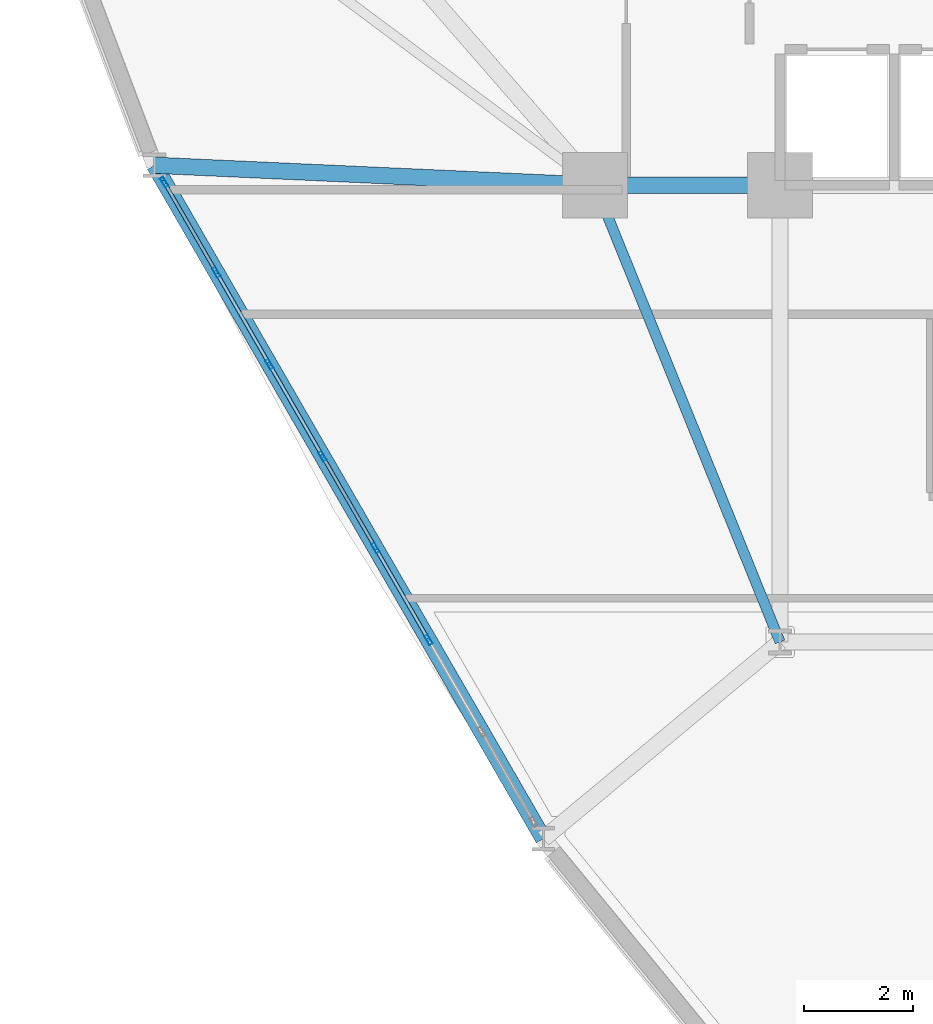
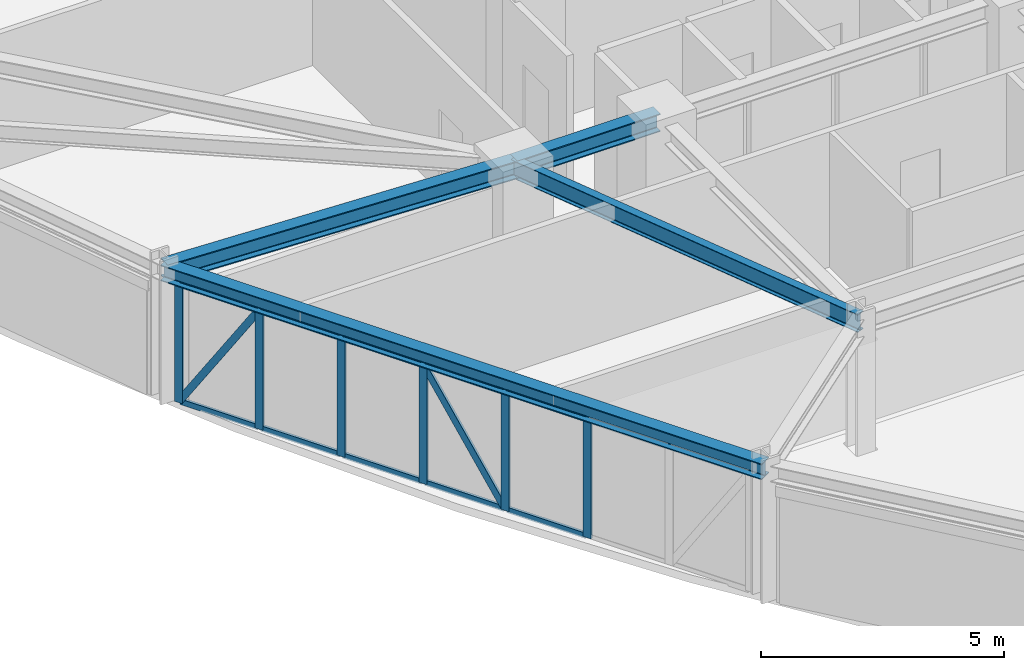
# One storey, part 5 of 23: 18 members, 4 beams, 1 element without a shape of its own.
"""IFC4 building model written with IfcOpenShell, lengths in metres."""

from ifc_helpers import new_model, si_unit, derived_unit, direction, frame, origin, origin_2d, place, context, subcontext, project, spatial, hollow_rectangle, i_section, extrude, source, transform, mapped, material, layer, layer_set, material_profile, profile_set, type_object, element, aggregate, save


model = new_model("IFC4")

# Units and contexts
model_context = context("Model", 3, precision=1e-05, world=origin(), true_north=direction((0.0, 1.0)))
body_context = subcontext(model_context, "Body", "Model", "MODEL_VIEW")
ifc_project = project(units=[si_unit("LENGTHUNIT", "METRE"), si_unit("AREAUNIT", "SQUARE_METRE"), si_unit("VOLUMEUNIT", "CUBIC_METRE"), si_unit("PLANEANGLEUNIT", "RADIAN"), si_unit("MASSUNIT", "GRAM", prefix="KILO"), derived_unit("THERMALTRANSMITTANCEUNIT", [(si_unit("POWERUNIT", "WATT"), 1), (si_unit("LENGTHUNIT", "METRE"), -2), (si_unit("THERMODYNAMICTEMPERATUREUNIT", "KELVIN"), -1)])], contexts=[model_context])

# Site, building, storey
site_placement = place(None, origin())
site = spatial("IfcSite", under=ifc_project, at=site_placement, CompositionType="ELEMENT")
building_placement = place(site_placement, origin())
building = spatial("IfcBuilding", under=site, at=building_placement, Name="Korsvarv Bourse and Concert Hall", CompositionType="ELEMENT")
storey_placement = place(building_placement, frame((0.0, 0.0, 99.0)))
storey = spatial("IfcBuildingStorey", under=building, at=storey_placement, Name="L24", CompositionType="ELEMENT", Elevation=99.0)

# Beams
ifc_material_1 = material(Name="Steel S355", Category="steel")
ifc_material_profile_1 = material_profile(ifc_material_1, i_section(OverallWidth=0.18994140625, OverallDepth=0.449951171875, WebThickness=0.009521484375, FlangeThickness=0.0146484375, FilletRadius=0.02099609375, at=origin_2d()), Name="IPE 450")
ifc_profile_set_1 = profile_set([ifc_material_profile_1], Name="Steel S355")
beam_type_1 = type_object("IfcBeamType", Name="BM-IPE450", PredefinedType="JOIST", material=ifc_profile_set_1)
shared_shape_1 = source(origin(), body_context, "Body", "SweptSolid", [
    extrude(i_section(OverallWidth=0.18994140625, OverallDepth=0.449951171875, WebThickness=0.009521484375, FlangeThickness=0.0146484375, FilletRadius=0.02099609375, at=origin_2d()), origin(), (0.0, 0.0, 1.0), 9.06201171875),
])
beam_1_placement = place(storey_placement, frame((24.199951171875, 32.39990234375, 3.175048828125), z_axis=(0.375210394783, -0.926939674222, 0.0), x_axis=(0.926939674222, 0.375210394783, 0.0)))
element("IfcBeam", 1, at=beam_1_placement, inside=storey, type_object=beam_type_1, Name="L24 beam J-04", PredefinedType="JOIST", context=body_context, shape_type="MappedRepresentation", body=[
    mapped(shared_shape_1, transform((0.0, 0.0, 0.0), scale=1.0)),
])
ifc_material_profile_2 = material_profile(ifc_material_1, i_section(OverallWidth=0.300048828125, OverallDepth=0.449951171875, WebThickness=0.013916015625, FlangeThickness=0.02587890625, FilletRadius=0.02099609375, at=origin_2d()), Name="HEB 450")
ifc_profile_set_2 = profile_set([ifc_material_profile_2], Name="Steel S355")
beam_type_2 = type_object("IfcBeamType", Name="BM-HEB450", PredefinedType="SPANDREL", material=ifc_profile_set_2)
shared_shape_2 = source(origin(), body_context, "Body", "SweptSolid", [
    extrude(i_section(OverallWidth=0.300048828125, OverallDepth=0.449951171875, WebThickness=0.013916015625, FlangeThickness=0.02587890625, FilletRadius=0.02099609375, at=origin_2d()), origin(), (0.0, 0.0, 1.0), 3.400146484375),
])
beam_2_placement = place(storey_placement, frame((24.199951171875, 32.39990234375, 3.175048828125), z_axis=(1.0, 0.0, 0.0), x_axis=(0.0, 1.0, 0.0)))
element("IfcBeam", 2, at=beam_2_placement, inside=storey, type_object=beam_type_2, Name="L24 beam B-08", PredefinedType="SPANDREL", context=body_context, shape_type="MappedRepresentation", body=[
    mapped(shared_shape_2, transform((0.0, 0.0, 0.0), scale=1.0)),
])
ifc_material_profile_3 = material_profile(ifc_material_1, i_section(OverallWidth=0.300048828125, OverallDepth=0.39990234375, WebThickness=0.013427734375, FlangeThickness=0.02392578125, FilletRadius=0.02099609375, at=origin_2d()), Name="HEB 400")
ifc_profile_set_3 = profile_set([ifc_material_profile_3], Name="Steel S355")
beam_type_3 = type_object("IfcBeamType", Name="BM-HEB400", PredefinedType="SPANDREL", material=ifc_profile_set_3)
shared_shape_3 = source(origin(), body_context, "Body", "SweptSolid", [
    extrude(i_section(OverallWidth=0.300048828125, OverallDepth=0.39990234375, WebThickness=0.013427734375, FlangeThickness=0.02392578125, FilletRadius=0.02099609375, at=origin_2d()), origin(), (0.0, 0.0, 1.0), 14.298828125),
])
beam_3_placement = place(storey_placement, frame((16.099365234375, 32.765869140625, 3.199951171875), z_axis=(0.500002778788, -0.866023799444, 0.0), x_axis=(0.866023799444, 0.500002778788, 0.0)))
element("IfcBeam", 3, at=beam_3_placement, inside=storey, type_object=beam_type_3, Name="L24 beam B-09", PredefinedType="SPANDREL", context=body_context, shape_type="MappedRepresentation", body=[
    mapped(shared_shape_3, transform((0.0, 0.0, 0.0), scale=1.0)),
])
shared_shape_4 = source(origin(), body_context, "Body", "SweptSolid", [
    extrude(i_section(OverallWidth=0.300048828125, OverallDepth=0.449951171875, WebThickness=0.013916015625, FlangeThickness=0.02587890625, FilletRadius=0.02099609375, at=origin_2d()), origin(), (0.0, 0.0, 1.0), 8.10888671875),
])
beam_4_placement = place(storey_placement, frame((16.099365234375, 32.765869140625, 3.175048828125), z_axis=(0.998981041914, -0.04513178366, 0.0), x_axis=(0.04513178366, 0.998981041914, 0.0)))
element("IfcBeam", 4, at=beam_4_placement, inside=storey, type_object=beam_type_2, Name="L24 beam B-08", PredefinedType="SPANDREL", context=body_context, shape_type="MappedRepresentation", body=[
    mapped(shared_shape_4, transform((0.0, 0.0, 0.0), scale=1.0)),
])

# Curtain wall, members
ifc_material_2 = material(Name="Anodised aluminium and triple low-E glazing", Category="glass")
ifc_layer = layer(ifc_material_2, 0.2099609375)
ifc_layer_set = layer_set([ifc_layer], Name="Anodised aluminium and triple low-E glazing")
curtain_wall_type = type_object("IfcCurtainWallType", Name="CW-SYS-2", PredefinedType="NOTDEFINED", material=ifc_layer_set)
curtain_wall_placement = place(storey_placement, origin())
curtain_wall = element("IfcCurtainWall", 5, at=curtain_wall_placement, inside=storey, type_object=curtain_wall_type, Name="L24 CW2 curtain wall CW-L24-F07", PredefinedType="NOTDEFINED")
ifc_material_3 = material(Name="Extruded aluminium EN AW-6063 T66", Category="aluminium")
ifc_material_profile_4 = material_profile(ifc_material_3, hollow_rectangle(XDim=0.070068359375, YDim=0.18994140625, WallThickness=0.0048828125, at=origin_2d()), Name="ALU-M 70x190")
ifc_profile_set_4 = profile_set([ifc_material_profile_4], Name="Extruded aluminium EN AW-6063 T66")
member_type_1 = type_object("IfcMemberType", Name="CWM-190", PredefinedType="MULLION", material=ifc_profile_set_4)
shared_shape_5 = source(origin(), body_context, "Body", "SweptSolid", [
    extrude(hollow_rectangle(XDim=0.070068359375, YDim=0.18994140625, WallThickness=0.0048828125, at=origin_2d()), origin(), (0.0, 0.0, 1.0), 3.0),
])
member_1_placement = place(storey_placement, frame((16.277099609375, 32.4580078125, 0.0), z_axis=(0.0, 0.0, 1.0), x_axis=(0.866024031595, 0.500002376695, 0.0)))
member_1 = element("IfcMember", 6, at=member_1_placement, type_object=member_type_1, Name="CW2 mullion 1", PredefinedType="MULLION", context=body_context, shape_type="MappedRepresentation", body=[
    mapped(shared_shape_5, transform((0.0, 0.0, 0.0), scale=1.0)),
])
member_2_placement = place(storey_placement, frame((17.235107421875, 30.798583984375, 0.0), z_axis=(0.0, 0.0, 1.0), x_axis=(0.866024031595, 0.500002376695, 0.0)))
member_2 = element("IfcMember", 7, at=member_2_placement, type_object=member_type_1, Name="CW2 mullion 2", PredefinedType="MULLION", context=body_context, shape_type="MappedRepresentation", body=[
    mapped(shared_shape_5, transform((0.0, 0.0, 0.0), scale=1.0)),
])
member_3_placement = place(storey_placement, frame((18.210693359375, 29.10888671875, 0.0), z_axis=(0.0, 0.0, 1.0), x_axis=(0.866024031595, 0.500002376695, 0.0)))
member_3 = element("IfcMember", 8, at=member_3_placement, type_object=member_type_1, Name="CW2 mullion 3", PredefinedType="MULLION", context=body_context, shape_type="MappedRepresentation", body=[
    mapped(shared_shape_5, transform((0.0, 0.0, 0.0), scale=1.0)),
])
member_4_placement = place(storey_placement, frame((19.186279296875, 27.419189453125, 0.0), z_axis=(0.0, 0.0, 1.0), x_axis=(0.866024031595, 0.500002376695, 0.0)))
member_4 = element("IfcMember", 9, at=member_4_placement, type_object=member_type_1, Name="CW2 mullion 4", PredefinedType="MULLION", context=body_context, shape_type="MappedRepresentation", body=[
    mapped(shared_shape_5, transform((0.0, 0.0, 0.0), scale=1.0)),
])
member_5_placement = place(storey_placement, frame((20.161865234375, 25.7294921875, 0.0), z_axis=(0.0, 0.0, 1.0), x_axis=(0.866024031595, 0.500002376695, 0.0)))
member_5 = element("IfcMember", 10, at=member_5_placement, type_object=member_type_1, Name="CW2 mullion 5", PredefinedType="MULLION", context=body_context, shape_type="MappedRepresentation", body=[
    mapped(shared_shape_5, transform((0.0, 0.0, 0.0), scale=1.0)),
])
member_6_placement = place(storey_placement, frame((21.137451171875, 24.03955078125, 0.0), z_axis=(0.0, 0.0, 1.0), x_axis=(0.866024031595, 0.500002376695, 0.0)))
member_6 = element("IfcMember", 11, at=member_6_placement, type_object=member_type_1, Name="CW2 mullion 6", PredefinedType="MULLION", context=body_context, shape_type="MappedRepresentation", body=[
    mapped(shared_shape_5, transform((0.0, 0.0, 0.0), scale=1.0)),
])
ifc_material_profile_5 = material_profile(ifc_material_3, hollow_rectangle(XDim=0.06494140625, YDim=0.139892578125, WallThickness=0.00390625, at=origin_2d()), Name="ALU-T 65x140")
ifc_profile_set_5 = profile_set([ifc_material_profile_5], Name="Extruded aluminium EN AW-6063 T66")
member_type_2 = type_object("IfcMemberType", Name="CWT-140", PredefinedType="USERDEFINED", material=ifc_profile_set_5)
shared_shape_6 = source(origin(), body_context, "Body", "SweptSolid", [
    extrude(hollow_rectangle(XDim=0.06494140625, YDim=0.139892578125, WallThickness=0.00390625, at=origin_2d()), origin(), (0.0, 0.0, 1.0), 1.84619140625),
])
member_7_placement = place(storey_placement, frame((16.294677734375, 32.427734375, 0.032470703125), z_axis=(0.499993363642, -0.866029235253, 0.0), x_axis=(0.866029235253, 0.499993363642, 0.0)))
member_7 = element("IfcMember", 12, at=member_7_placement, type_object=member_type_2, Name="CW2 transom 1.1", ObjectType="TRANSOM", PredefinedType="USERDEFINED", context=body_context, shape_type="MappedRepresentation", body=[
    mapped(shared_shape_6, transform((0.0, 0.0, 0.0), scale=1.0)),
])
member_8_placement = place(storey_placement, frame((16.294677734375, 32.427734375, 2.967529296875), z_axis=(0.499993363642, -0.866029235253, 0.0), x_axis=(0.866029235253, 0.499993363642, 0.0)))
member_8 = element("IfcMember", 13, at=member_8_placement, type_object=member_type_2, Name="CW2 transom 1.2", ObjectType="TRANSOM", PredefinedType="USERDEFINED", context=body_context, shape_type="MappedRepresentation", body=[
    mapped(shared_shape_6, transform((0.0, 0.0, 0.0), scale=1.0)),
])
ifc_material_profile_6 = material_profile(ifc_material_3, hollow_rectangle(XDim=0.06494140625, YDim=0.1650390625, WallThickness=0.0048828125, at=origin_2d()), Name="ALU-M 65x165")
ifc_profile_set_6 = profile_set([ifc_material_profile_6], Name="Extruded aluminium EN AW-6063 T66")
member_type_3 = type_object("IfcMemberType", Name="CWM-165", PredefinedType="MULLION", material=ifc_profile_set_6)
shared_shape_7 = source(origin(), body_context, "Body", "SweptSolid", [
    extrude(hollow_rectangle(XDim=0.06494140625, YDim=0.1650390625, WallThickness=0.0048828125, at=origin_2d()), origin(), (0.0, 0.0, 1.0), 3.41259765625),
])
member_9_placement = place(storey_placement, frame((16.294677734375, 32.427734375, 0.06494140625), z_axis=(0.270493439102, -0.468516670902, 0.84102641367), x_axis=(0.866029235253, 0.499993363642, 0.0)))
member_9 = element("IfcMember", 14, at=member_9_placement, type_object=member_type_3, Name="CW2 diagonal mullion 1", PredefinedType="MULLION", context=body_context, shape_type="MappedRepresentation", body=[
    mapped(shared_shape_7, transform((0.0, 0.0, 0.0), scale=1.0)),
])
shared_shape_8 = source(origin(), body_context, "Body", "SweptSolid", [
    extrude(hollow_rectangle(XDim=0.06494140625, YDim=0.139892578125, WallThickness=0.00390625, at=origin_2d()), origin(), (0.0, 0.0, 1.0), 1.881103515625),
])
member_10_placement = place(storey_placement, frame((17.252685546875, 30.768310546875, 0.032470703125), z_axis=(0.50003325389, -0.866006203791, 0.0), x_axis=(0.866006203791, 0.50003325389, 0.0)))
member_10 = element("IfcMember", 15, at=member_10_placement, type_object=member_type_2, Name="CW2 transom 2.1", ObjectType="TRANSOM", PredefinedType="USERDEFINED", context=body_context, shape_type="MappedRepresentation", body=[
    mapped(shared_shape_8, transform((0.0, 0.0, 0.0), scale=1.0)),
])
member_11_placement = place(storey_placement, frame((17.252685546875, 30.768310546875, 2.967529296875), z_axis=(0.50003325389, -0.866006203791, 0.0), x_axis=(0.866006203791, 0.50003325389, 0.0)))
member_11 = element("IfcMember", 16, at=member_11_placement, type_object=member_type_2, Name="CW2 transom 2.2", ObjectType="TRANSOM", PredefinedType="USERDEFINED", context=body_context, shape_type="MappedRepresentation", body=[
    mapped(shared_shape_8, transform((0.0, 0.0, 0.0), scale=1.0)),
])
member_12_placement = place(storey_placement, frame((18.228271484375, 29.07861328125, 0.032470703125), z_axis=(0.4999359155, -0.866062399826, 0.0), x_axis=(0.866062399826, 0.4999359155, 0.0)))
member_12 = element("IfcMember", 17, at=member_12_placement, type_object=member_type_2, Name="CW2 transom 3.1", ObjectType="TRANSOM", PredefinedType="USERDEFINED", context=body_context, shape_type="MappedRepresentation", body=[
    mapped(shared_shape_8, transform((0.0, 0.0, 0.0), scale=1.0)),
])
member_13_placement = place(storey_placement, frame((18.228271484375, 29.07861328125, 2.967529296875), z_axis=(0.4999359155, -0.866062399826, 0.0), x_axis=(0.866062399826, 0.4999359155, 0.0)))
member_13 = element("IfcMember", 18, at=member_13_placement, type_object=member_type_2, Name="CW2 transom 3.2", ObjectType="TRANSOM", PredefinedType="USERDEFINED", context=body_context, shape_type="MappedRepresentation", body=[
    mapped(shared_shape_8, transform((0.0, 0.0, 0.0), scale=1.0)),
])
member_14_placement = place(storey_placement, frame((19.203857421875, 27.388916015625, 0.032470703125), z_axis=(0.4999359155, -0.866062399826, 0.0), x_axis=(0.866062399826, 0.4999359155, 0.0)))
member_14 = element("IfcMember", 19, at=member_14_placement, type_object=member_type_2, Name="CW2 transom 4.1", ObjectType="TRANSOM", PredefinedType="USERDEFINED", context=body_context, shape_type="MappedRepresentation", body=[
    mapped(shared_shape_8, transform((0.0, 0.0, 0.0), scale=1.0)),
])
member_15_placement = place(storey_placement, frame((19.203857421875, 27.388916015625, 2.967529296875), z_axis=(0.4999359155, -0.866062399826, 0.0), x_axis=(0.866062399826, 0.4999359155, 0.0)))
member_15 = element("IfcMember", 20, at=member_15_placement, type_object=member_type_2, Name="CW2 transom 4.2", ObjectType="TRANSOM", PredefinedType="USERDEFINED", context=body_context, shape_type="MappedRepresentation", body=[
    mapped(shared_shape_8, transform((0.0, 0.0, 0.0), scale=1.0)),
])
shared_shape_9 = source(origin(), body_context, "Body", "SweptSolid", [
    extrude(hollow_rectangle(XDim=0.06494140625, YDim=0.1650390625, WallThickness=0.0048828125, at=origin_2d()), origin(), (0.0, 0.0, 1.0), 3.431640625),
])
member_16_placement = place(storey_placement, frame((20.144287109375, 25.759765625, 0.06494140625), z_axis=(-0.274047202407, 0.474744803132, 0.83637043393), x_axis=(-0.866062399826, -0.4999359155, 0.0)))
member_16 = element("IfcMember", 21, at=member_16_placement, type_object=member_type_3, Name="CW2 diagonal mullion 4", PredefinedType="MULLION", context=body_context, shape_type="MappedRepresentation", body=[
    mapped(shared_shape_9, transform((0.0, 0.0, 0.0), scale=1.0)),
])
shared_shape_10 = source(origin(), body_context, "Body", "SweptSolid", [
    extrude(hollow_rectangle(XDim=0.06494140625, YDim=0.139892578125, WallThickness=0.00390625, at=origin_2d()), origin(), (0.0, 0.0, 1.0), 1.880859375),
])
member_17_placement = place(storey_placement, frame((20.179443359375, 25.698974609375, 0.032470703125), z_axis=(0.499992114976, -0.866029956157, 0.0), x_axis=(0.866029956157, 0.499992114976, 0.0)))
member_17 = element("IfcMember", 22, at=member_17_placement, type_object=member_type_2, Name="CW2 transom 5.1", ObjectType="TRANSOM", PredefinedType="USERDEFINED", context=body_context, shape_type="MappedRepresentation", body=[
    mapped(shared_shape_10, transform((0.0, 0.0, 0.0), scale=1.0)),
])
member_18_placement = place(storey_placement, frame((20.179443359375, 25.698974609375, 2.967529296875), z_axis=(0.499992114976, -0.866029956157, 0.0), x_axis=(0.866029956157, 0.499992114976, 0.0)))
member_18 = element("IfcMember", 23, at=member_18_placement, type_object=member_type_2, Name="CW2 transom 5.2", ObjectType="TRANSOM", PredefinedType="USERDEFINED", context=body_context, shape_type="MappedRepresentation", body=[
    mapped(shared_shape_10, transform((0.0, 0.0, 0.0), scale=1.0)),
])
aggregate(curtain_wall, [member_1, member_2, member_3, member_4, member_5, member_6, member_7, member_8, member_9, member_10, member_11, member_12, member_13, member_14, member_15, member_16, member_17, member_18])

save(model, "model.ifc")
